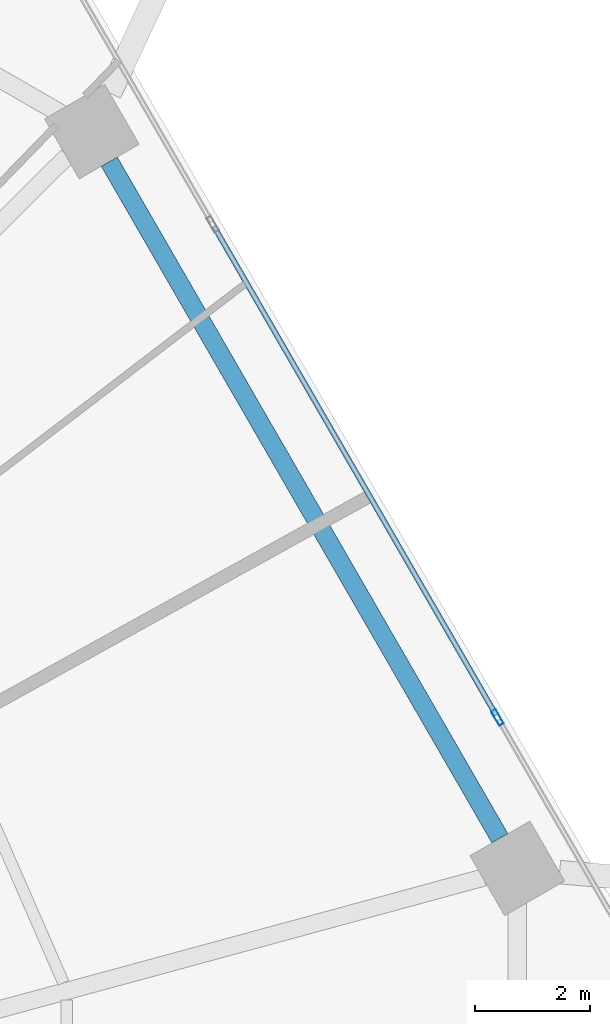
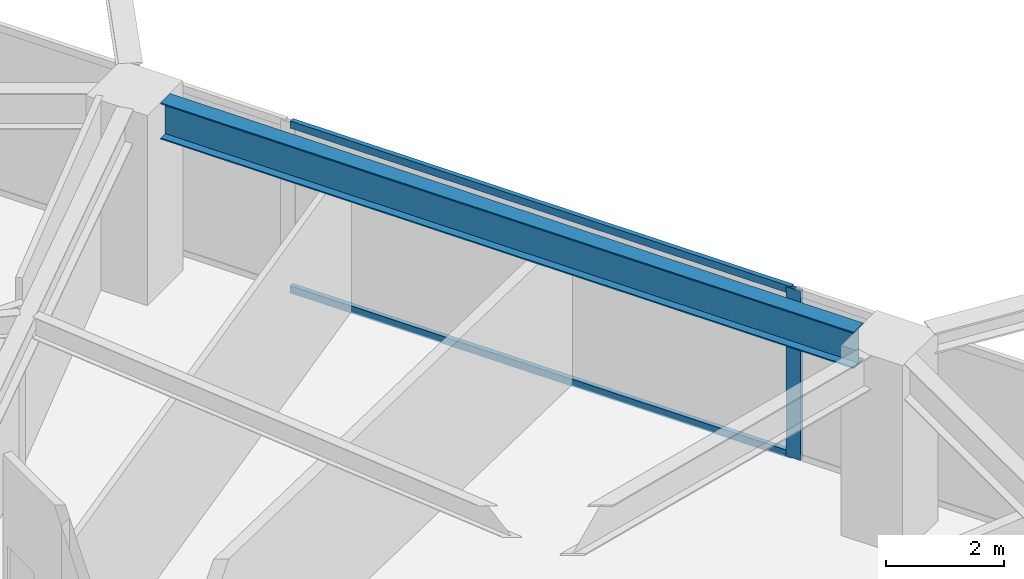
# One storey, part 17 of 25: 3 members, 1 beam, 1 element without a shape of its own.
"""IFC4 building model written with IfcOpenShell, lengths in metres."""

from ifc_helpers import new_model, si_unit, direction, frame, origin, origin_2d, place, context, subcontext, project, spatial, hollow_rectangle, i_section, extrude, material, material_profile, profile_set, type_object, element, aggregate, save


model = new_model("IFC4")

# Units and contexts
model_context = context("Model", 3, precision=1e-05, world=origin(), true_north=direction((0.0, 1.0)))
body_context = subcontext(model_context, "Body", "Model", "MODEL_VIEW")
ifc_project = project(units=[si_unit("LENGTHUNIT", "METRE"), si_unit("AREAUNIT", "SQUARE_METRE"), si_unit("VOLUMEUNIT", "CUBIC_METRE"), si_unit("PLANEANGLEUNIT", "RADIAN"), si_unit("MASSUNIT", "GRAM", prefix="KILO")], contexts=[model_context])

# Site, building, storey
site_placement = place(None, origin())
site = spatial("IfcSite", under=ifc_project, at=site_placement, CompositionType="ELEMENT")
building_placement = place(site_placement, origin())
building = spatial("IfcBuilding", under=site, at=building_placement, Name="Zuhravey Tower", CompositionType="ELEMENT")
storey_placement = place(building_placement, frame((0.0, 0.0, 54.0)))
storey = spatial("IfcBuildingStorey", under=building, at=storey_placement, Name="L13", CompositionType="ELEMENT", Elevation=54.0)

# Curtain wall, members
ifc_material_1 = material(Name="Thermally broken anodised aluminium", Category="aluminium")
curtain_wall_type = type_object("IfcCurtainWallType", Name="School Low-E Unitised Curtain Wall CW1", PredefinedType="NOTDEFINED", material=ifc_material_1)
curtain_wall_placement = place(storey_placement, origin())
curtain_wall = element("IfcCurtainWall", 1, at=curtain_wall_placement, inside=storey, type_object=curtain_wall_type, Name="L13 CW1 CW-L13-F1-1", PredefinedType="NOTDEFINED")
ifc_material_2 = material(Name="Anodised aluminium", Category="aluminium")
ifc_material_profile_1 = material_profile(ifc_material_2, hollow_rectangle(XDim=0.090087890625, YDim=0.284912109375, WallThickness=0.0048828125, at=origin_2d()), Name="ALU-RHS-90x285x5")
ifc_profile_set_1 = profile_set([ifc_material_profile_1], Name="Anodised aluminium")
member_type_1 = type_object("IfcMemberType", Name="Curtain-Wall Mullion 90x180", PredefinedType="MULLION", material=ifc_profile_set_1)
member_1_placement = place(storey_placement, frame((63.54541015625, 42.20703125, 0.0), z_axis=(0.0, 0.0, 1.0), x_axis=(0.86602552265, 0.499999794119, 0.0)))
member_1 = element("IfcMember", 2, at=member_1_placement, type_object=member_type_1, Name="CW1 mullion 3", PredefinedType="MULLION", context=body_context, shape_type="SweptSolid", body=[
    extrude(hollow_rectangle(XDim=0.090087890625, YDim=0.284912109375, WallThickness=0.0048828125, at=origin_2d()), origin(), (0.0, 0.0, 1.0), 3.491943359375),
])
ifc_material_profile_2 = material_profile(ifc_material_2, hollow_rectangle(XDim=0.090087890625, YDim=0.14990234375, WallThickness=0.0048828125, at=origin_2d()), Name="ALU-RHS-90x150x5")
ifc_profile_set_2 = profile_set([ifc_material_profile_2], Name="Anodised aluminium")
member_type_2 = type_object("IfcMemberType", Name="Curtain-Wall Transom 90x150", PredefinedType="USERDEFINED", material=ifc_profile_set_2)
member_2_placement = place(storey_placement, frame((58.634765625, 50.712646484375, 0.044921875), z_axis=(0.499990498062, -0.866030889661, 0.0), x_axis=(0.866030889661, 0.499990498062, 0.0)))
member_2 = element("IfcMember", 3, at=member_2_placement, type_object=member_type_2, Name="CW1 transom 2.1", ObjectType="TRANSOM", PredefinedType="USERDEFINED", context=body_context, shape_type="SweptSolid", body=[
    extrude(hollow_rectangle(XDim=0.090087890625, YDim=0.14990234375, WallThickness=0.0048828125, at=origin_2d()), origin(), (0.0, 0.0, 1.0), 9.776611328125),
])
member_3_placement = place(storey_placement, frame((58.634765625, 50.712646484375, 3.447021484375), z_axis=(0.499990498062, -0.866030889661, 0.0), x_axis=(0.866030889661, 0.499990498062, 0.0)))
member_3 = element("IfcMember", 4, at=member_3_placement, type_object=member_type_2, Name="CW1 transom 2.2", ObjectType="TRANSOM", PredefinedType="USERDEFINED", context=body_context, shape_type="SweptSolid", body=[
    extrude(hollow_rectangle(XDim=0.090087890625, YDim=0.14990234375, WallThickness=0.0048828125, at=origin_2d()), origin(), (0.0, 0.0, 1.0), 9.776611328125),
])
aggregate(curtain_wall, [member_1, member_2, member_3])

# Beam
ifc_material_3 = material(Name="Steel SM355", Category="steel")
ifc_material_profile_3 = material_profile(ifc_material_3, i_section(OverallWidth=0.320068359375, OverallDepth=0.75, WebThickness=0.013916015625, FlangeThickness=0.02490234375, at=origin_2d()), Name="H-750x320x14x25")
ifc_profile_set_3 = profile_set([ifc_material_profile_3], Name="Steel SM355")
beam_type = type_object("IfcBeamType", Name="Perimeter Ring Beam H750x320", PredefinedType="BEAM", material=ifc_profile_set_3)
beam_placement = place(storey_placement, frame((63.587646484375, 40.11376953125, 3.544921875), z_axis=(-0.499999877243, 0.866025474658, 0.0), x_axis=(-0.866025474658, -0.499999877243, 0.0)))
element("IfcBeam", 5, at=beam_placement, inside=storey, type_object=beam_type, Name="L13 PB1 BM-L13-PB-01", PredefinedType="BEAM", context=body_context, shape_type="SweptSolid", body=[
    extrude(i_section(OverallWidth=0.320068359375, OverallDepth=0.75, WebThickness=0.013916015625, FlangeThickness=0.02490234375, at=origin_2d()), origin(), (0.0, 0.0, 1.0), 13.5341796875),
])

save(model, "model.ifc")
